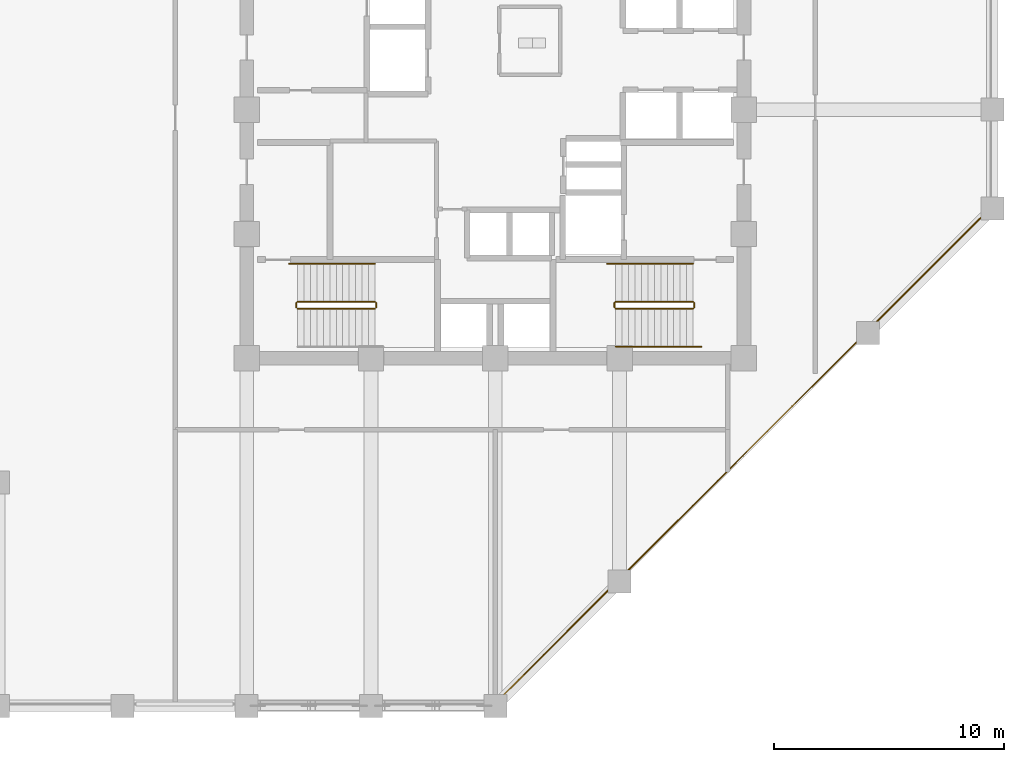
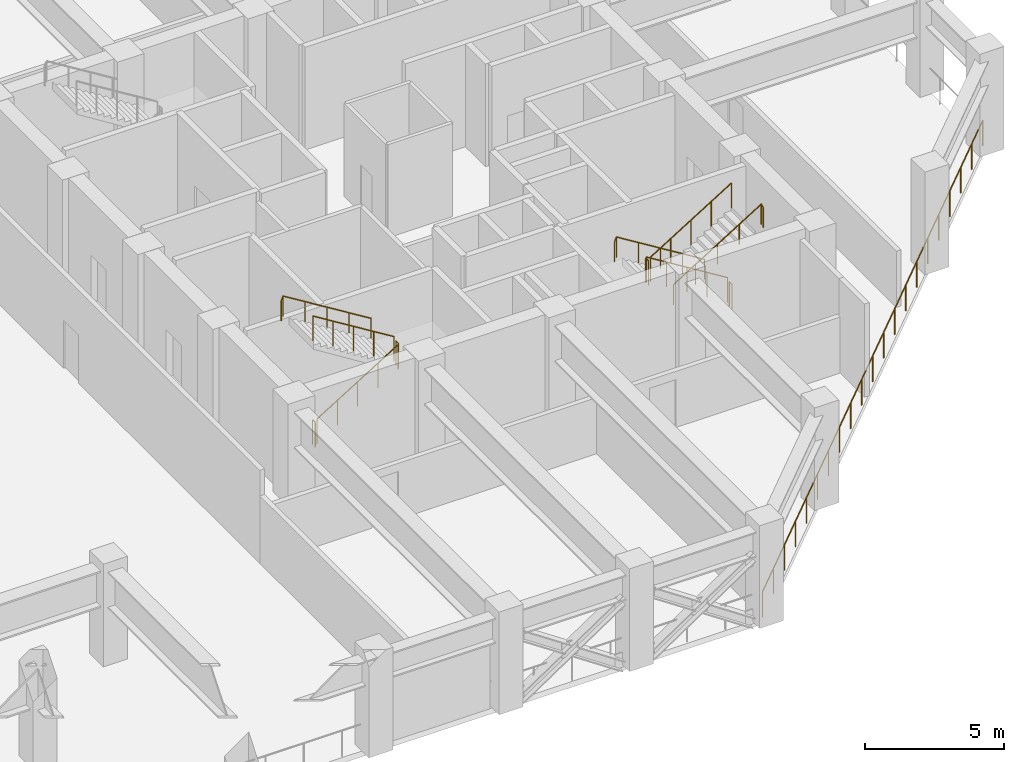
# One storey, part 9 of 12: 12 railings.
"""IFC4 building model written with IfcOpenShell, lengths in metres."""

from ifc_helpers import new_model, si_unit, direction, frame, origin, origin_2d, place, context, subcontext, project, spatial, circle, extrude, material, type_object, element, save


model = new_model("IFC4")

# Units and contexts
model_context = context("Model", 3, precision=1e-05, world=origin(), true_north=direction((0.0, 1.0)))
body_context = subcontext(model_context, "Body", "Model", "MODEL_VIEW")
ifc_project = project(units=[si_unit("LENGTHUNIT", "METRE"), si_unit("AREAUNIT", "SQUARE_METRE"), si_unit("VOLUMEUNIT", "CUBIC_METRE"), si_unit("PLANEANGLEUNIT", "RADIAN"), si_unit("MASSUNIT", "GRAM", prefix="KILO")], contexts=[model_context])

# Site, building, storey
site_placement = place(None, origin())
site = spatial("IfcSite", under=ifc_project, at=site_placement, CompositionType="ELEMENT")
building_placement = place(site_placement, origin())
building = spatial("IfcBuilding", under=site, at=building_placement, Name="Surkhivell Harbour Commons", CompositionType="ELEMENT")
storey_placement = place(building_placement, frame((0.0, 0.0, 166.5)))
storey = spatial("IfcBuildingStorey", under=building, at=storey_placement, Name="L43", CompositionType="ELEMENT", Elevation=166.5)

# Railings
ifc_material_1 = material(Name="Laminated safety glass and stainless steel S355 balustrade", Category="steel")
railing_type_1 = type_object("IfcRailingType", Name="RAL-BAL-1150", PredefinedType="BALUSTRADE", material=ifc_material_1)
railing_1_placement = place(storey_placement, frame((-0.056640625, -25.843505859375, 0.0)))
element("IfcRailing", 1, at=railing_1_placement, inside=storey, type_object=railing_type_1, Name="L43 Perimeter Safety Guard 02", PredefinedType="BALUSTRADE", context=body_context, shape_type="SweptSolid", body=[
    extrude(circle(Radius=0.02392578125, at=origin_2d()), frame((0.0, 0.0, 1.1259765625), z_axis=(0.707106781187, 0.707106781187, 0.0), x_axis=(-0.707106781187, 0.707106781187, 0.0)), (0.0, 0.0, 1.0), 30.547119140625),
    extrude(circle(Radius=0.02099609375, at=origin_2d()), origin(), (0.0, 0.0, 1.0), 1.101806640625),
    extrude(circle(Radius=0.02099609375, at=origin_2d()), frame((1.080078125, 1.080078125, 0.0)), (0.0, 0.0, 1.0), 1.101806640625),
    extrude(circle(Radius=0.02099609375, at=origin_2d()), frame((2.159912109375, 2.159912109375, 0.0)), (0.0, 0.0, 1.0), 1.101806640625),
    extrude(circle(Radius=0.02099609375, at=origin_2d()), frame((3.239990234375, 3.239990234375, 0.0)), (0.0, 0.0, 1.0), 1.101806640625),
    extrude(circle(Radius=0.02099609375, at=origin_2d()), frame((4.320068359375, 4.320068359375, 0.0)), (0.0, 0.0, 1.0), 1.101806640625),
    extrude(circle(Radius=0.02099609375, at=origin_2d()), frame((5.39990234375, 5.39990234375, 0.0)), (0.0, 0.0, 1.0), 1.101806640625),
    extrude(circle(Radius=0.02099609375, at=origin_2d()), frame((6.47998046875, 6.47998046875, 0.0)), (0.0, 0.0, 1.0), 1.101806640625),
    extrude(circle(Radius=0.02099609375, at=origin_2d()), frame((7.56005859375, 7.56005859375, 0.0)), (0.0, 0.0, 1.0), 1.101806640625),
    extrude(circle(Radius=0.02099609375, at=origin_2d()), frame((8.64013671875, 8.64013671875, 0.0)), (0.0, 0.0, 1.0), 1.101806640625),
    extrude(circle(Radius=0.02099609375, at=origin_2d()), frame((9.719970703125, 9.719970703125, 0.0)), (0.0, 0.0, 1.0), 1.101806640625),
    extrude(circle(Radius=0.02099609375, at=origin_2d()), frame((10.800048828125, 10.800048828125, 0.0)), (0.0, 0.0, 1.0), 1.101806640625),
    extrude(circle(Radius=0.02099609375, at=origin_2d()), frame((11.880126953125, 11.880126953125, 0.0)), (0.0, 0.0, 1.0), 1.101806640625),
    extrude(circle(Radius=0.02099609375, at=origin_2d()), frame((12.9599609375, 12.9599609375, 0.0)), (0.0, 0.0, 1.0), 1.101806640625),
    extrude(circle(Radius=0.02099609375, at=origin_2d()), frame((14.0400390625, 14.0400390625, 0.0)), (0.0, 0.0, 1.0), 1.101806640625),
    extrude(circle(Radius=0.02099609375, at=origin_2d()), frame((15.1201171875, 15.1201171875, 0.0)), (0.0, 0.0, 1.0), 1.101806640625),
    extrude(circle(Radius=0.02099609375, at=origin_2d()), frame((16.2001953125, 16.2001953125, 0.0)), (0.0, 0.0, 1.0), 1.101806640625),
    extrude(circle(Radius=0.02099609375, at=origin_2d()), frame((17.280029296875, 17.280029296875, 0.0)), (0.0, 0.0, 1.0), 1.101806640625),
    extrude(circle(Radius=0.02099609375, at=origin_2d()), frame((18.360107421875, 18.360107421875, 0.0)), (0.0, 0.0, 1.0), 1.101806640625),
    extrude(circle(Radius=0.02099609375, at=origin_2d()), frame((19.440185546875, 19.440185546875, 0.0)), (0.0, 0.0, 1.0), 1.101806640625),
    extrude(circle(Radius=0.02099609375, at=origin_2d()), frame((20.52001953125, 20.52001953125, 0.0)), (0.0, 0.0, 1.0), 1.101806640625),
    extrude(circle(Radius=0.02099609375, at=origin_2d()), frame((21.60009765625, 21.60009765625, 0.0)), (0.0, 0.0, 1.0), 1.101806640625),
])
ifc_material_2 = material(Name="Galvanised and painted steel S355 guard rail", Category="steel")
railing_type_2 = type_object("IfcRailingType", Name="RAL-ST-GRD1100", PredefinedType="GUARDRAIL", material=ifc_material_2)
railing_2_placement = place(storey_placement, frame((8.590087890625, -8.340087890625, 0.173095703125)))
element("IfcRailing", 2, at=railing_2_placement, inside=storey, type_object=railing_type_2, Name="L43 ST2 stair guard 1", PredefinedType="GUARDRAIL", context=body_context, shape_type="SweptSolid", body=[
    extrude(circle(Radius=0.02392578125, at=origin_2d()), frame((0.0, 0.0, 1.076171875), z_axis=(-0.850623216509, 0.0, 0.525775754039), x_axis=(0.0, -1.0, 0.0)), (0.0, 0.0, 1.0), 3.9501953125),
    extrude(circle(Radius=0.02099609375, at=origin_2d()), origin(), (0.0, 0.0, 1.0), 1.052001953125),
    extrude(circle(Radius=0.02099609375, at=origin_2d()), frame((-0.840087890625, 0.0, 0.519287109375)), (0.0, 0.0, 1.0), 1.052001953125),
    extrude(circle(Radius=0.02099609375, at=origin_2d()), frame((-1.68017578125, 0.0, 1.03857421875)), (0.0, 0.0, 1.0), 1.052001953125),
    extrude(circle(Radius=0.02099609375, at=origin_2d()), frame((-2.52001953125, 0.0, 1.5576171875)), (0.0, 0.0, 1.0), 1.052001953125),
    extrude(circle(Radius=0.02099609375, at=origin_2d()), frame((-3.360107421875, 0.0, 2.076904296875)), (0.0, 0.0, 1.0), 1.052001953125),
])
railing_3_placement = place(storey_placement, frame((5.179931640625, -8.389892578125, 2.25)))
element("IfcRailing", 3, at=railing_3_placement, inside=storey, type_object=railing_type_2, Name="L43 ST2 stair guard 2", PredefinedType="GUARDRAIL", context=body_context, shape_type="SweptSolid", body=[
    extrude(circle(Radius=0.02392578125, at=origin_2d()), frame((0.0, 0.0, 1.076171875), z_axis=(0.0, -1.0, 0.0), x_axis=(1.0, 0.0, 0.0)), (0.0, 0.0, 1.0), 0.2001953125),
    extrude(circle(Radius=0.02099609375, at=origin_2d()), origin(), (0.0, 0.0, 1.0), 1.052001953125),
    extrude(circle(Radius=0.02099609375, at=origin_2d()), frame((0.0, -0.2001953125, 0.0)), (0.0, 0.0, 1.0), 1.052001953125),
])
railing_4_placement = place(storey_placement, frame((5.22998046875, -8.639892578125, 2.423095703125)))
element("IfcRailing", 4, at=railing_4_placement, inside=storey, type_object=railing_type_2, Name="L43 ST2 stair guard 3", PredefinedType="GUARDRAIL", context=body_context, shape_type="SweptSolid", body=[
    extrude(circle(Radius=0.02392578125, at=origin_2d()), frame((0.0, 0.0, 1.076171875), z_axis=(0.850623216509, 0.0, 0.525775754039), x_axis=(0.0, 1.0, 0.0)), (0.0, 0.0, 1.0), 3.9501953125),
    extrude(circle(Radius=0.02099609375, at=origin_2d()), origin(), (0.0, 0.0, 1.0), 1.052001953125),
    extrude(circle(Radius=0.02099609375, at=origin_2d()), frame((0.840087890625, 0.0, 0.519287109375)), (0.0, 0.0, 1.0), 1.052001953125),
    extrude(circle(Radius=0.02099609375, at=origin_2d()), frame((1.68017578125, 0.0, 1.03857421875)), (0.0, 0.0, 1.0), 1.052001953125),
    extrude(circle(Radius=0.02099609375, at=origin_2d()), frame((2.52001953125, 0.0, 1.5576171875)), (0.0, 0.0, 1.0), 1.052001953125),
    extrude(circle(Radius=0.02099609375, at=origin_2d()), frame((3.360107421875, 0.0, 2.076904296875)), (0.0, 0.0, 1.0), 1.052001953125),
])
railing_5_placement = place(storey_placement, frame((8.639892578125, -8.389892578125, 0.0)))
element("IfcRailing", 5, at=railing_5_placement, inside=storey, type_object=railing_type_2, Name="L43 ST2 stair guard 4", PredefinedType="GUARDRAIL", context=body_context, shape_type="SweptSolid", body=[
    extrude(circle(Radius=0.02392578125, at=origin_2d()), frame((0.0, 0.0, 1.076171875), z_axis=(0.0, -1.0, 0.0), x_axis=(1.0, 0.0, 0.0)), (0.0, 0.0, 1.0), 0.2001953125),
    extrude(circle(Radius=0.02099609375, at=origin_2d()), origin(), (0.0, 0.0, 1.0), 1.052001953125),
    extrude(circle(Radius=0.02099609375, at=origin_2d()), frame((0.0, -0.2001953125, 0.0)), (0.0, 0.0, 1.0), 1.052001953125),
])
railing_6_placement = place(storey_placement, frame((-8.590087890625, -8.639892578125, 0.173095703125)))
element("IfcRailing", 6, at=railing_6_placement, inside=storey, type_object=railing_type_2, Name="L43 ST3 stair guard 1", PredefinedType="GUARDRAIL", context=body_context, shape_type="SweptSolid", body=[
    extrude(circle(Radius=0.02392578125, at=origin_2d()), frame((0.0, 0.0, 1.076171875), z_axis=(0.850623216509, 0.0, 0.525775754039), x_axis=(0.0, 1.0, 0.0)), (0.0, 0.0, 1.0), 3.9501953125),
    extrude(circle(Radius=0.02099609375, at=origin_2d()), origin(), (0.0, 0.0, 1.0), 1.052001953125),
    extrude(circle(Radius=0.02099609375, at=origin_2d()), frame((0.840087890625, 0.0, 0.519287109375)), (0.0, 0.0, 1.0), 1.052001953125),
    extrude(circle(Radius=0.02099609375, at=origin_2d()), frame((1.68017578125, 0.0, 1.03857421875)), (0.0, 0.0, 1.0), 1.052001953125),
    extrude(circle(Radius=0.02099609375, at=origin_2d()), frame((2.52001953125, 0.0, 1.5576171875)), (0.0, 0.0, 1.0), 1.052001953125),
    extrude(circle(Radius=0.02099609375, at=origin_2d()), frame((3.360107421875, 0.0, 2.076904296875)), (0.0, 0.0, 1.0), 1.052001953125),
])
railing_7_placement = place(storey_placement, frame((-5.179931640625, -8.590087890625, 2.25)))
element("IfcRailing", 7, at=railing_7_placement, inside=storey, type_object=railing_type_2, Name="L43 ST3 stair guard 2", PredefinedType="GUARDRAIL", context=body_context, shape_type="SweptSolid", body=[
    extrude(circle(Radius=0.02392578125, at=origin_2d()), frame((0.0, 0.0, 1.076171875), z_axis=(0.0, 1.0, 0.0), x_axis=(-1.0, 0.0, 0.0)), (0.0, 0.0, 1.0), 0.2001953125),
    extrude(circle(Radius=0.02099609375, at=origin_2d()), origin(), (0.0, 0.0, 1.0), 1.052001953125),
    extrude(circle(Radius=0.02099609375, at=origin_2d()), frame((0.0, 0.2001953125, 0.0)), (0.0, 0.0, 1.0), 1.052001953125),
])
railing_8_placement = place(storey_placement, frame((-5.22998046875, -8.340087890625, 2.423095703125)))
element("IfcRailing", 8, at=railing_8_placement, inside=storey, type_object=railing_type_2, Name="L43 ST3 stair guard 3", PredefinedType="GUARDRAIL", context=body_context, shape_type="SweptSolid", body=[
    extrude(circle(Radius=0.02392578125, at=origin_2d()), frame((0.0, 0.0, 1.076171875), z_axis=(-0.850623216509, 0.0, 0.525775754039), x_axis=(0.0, -1.0, 0.0)), (0.0, 0.0, 1.0), 3.9501953125),
    extrude(circle(Radius=0.02099609375, at=origin_2d()), origin(), (0.0, 0.0, 1.0), 1.052001953125),
    extrude(circle(Radius=0.02099609375, at=origin_2d()), frame((-0.840087890625, 0.0, 0.519287109375)), (0.0, 0.0, 1.0), 1.052001953125),
    extrude(circle(Radius=0.02099609375, at=origin_2d()), frame((-1.68017578125, 0.0, 1.03857421875)), (0.0, 0.0, 1.0), 1.052001953125),
    extrude(circle(Radius=0.02099609375, at=origin_2d()), frame((-2.52001953125, 0.0, 1.5576171875)), (0.0, 0.0, 1.0), 1.052001953125),
    extrude(circle(Radius=0.02099609375, at=origin_2d()), frame((-3.360107421875, 0.0, 2.076904296875)), (0.0, 0.0, 1.0), 1.052001953125),
])
railing_9_placement = place(storey_placement, frame((-8.639892578125, -8.590087890625, 0.0)))
element("IfcRailing", 9, at=railing_9_placement, inside=storey, type_object=railing_type_2, Name="L43 ST3 stair guard 4", PredefinedType="GUARDRAIL", context=body_context, shape_type="SweptSolid", body=[
    extrude(circle(Radius=0.02392578125, at=origin_2d()), frame((0.0, 0.0, 1.076171875), z_axis=(0.0, 1.0, 0.0), x_axis=(-1.0, 0.0, 0.0)), (0.0, 0.0, 1.0), 0.2001953125),
    extrude(circle(Radius=0.02099609375, at=origin_2d()), origin(), (0.0, 0.0, 1.0), 1.052001953125),
    extrude(circle(Radius=0.02099609375, at=origin_2d()), frame((0.0, 0.2001953125, 0.0)), (0.0, 0.0, 1.0), 1.052001953125),
])
ifc_material_3 = material(Name="Brushed stainless steel S355 handrail", Category="steel")
railing_type_3 = type_object("IfcRailingType", Name="RAL-ST-HND900", PredefinedType="HANDRAIL", material=ifc_material_3)
railing_10_placement = place(storey_placement, frame((8.590087890625, -6.68994140625, 0.173095703125)))
element("IfcRailing", 10, at=railing_10_placement, inside=storey, type_object=railing_type_3, Name="L43 ST2 stair handrail 1", PredefinedType="HANDRAIL", context=body_context, shape_type="SweptSolid", body=[
    extrude(circle(Radius=0.02392578125, at=origin_2d()), frame((0.0, 0.0, 0.8759765625), z_axis=(-0.850622404505, 0.0, 0.525777067734), x_axis=(0.0, -1.0, 0.0)), (0.0, 0.0, 1.0), 4.279296875),
    extrude(circle(Radius=0.02392578125, at=origin_2d()), frame((-3.64013671875, 0.0, 3.1259765625), z_axis=(-0.418814502111, 0.0, -0.908071810388), x_axis=(0.0, -1.0, 0.0)), (0.0, 0.0, 1.0), 0.190673828125),
    extrude(circle(Radius=0.02099609375, at=origin_2d()), origin(), (0.0, 0.0, 1.0), 0.851806640625),
    extrude(circle(Radius=0.02099609375, at=origin_2d()), frame((-0.91015625, 0.0, 0.5625)), (0.0, 0.0, 1.0), 0.851806640625),
    extrude(circle(Radius=0.02099609375, at=origin_2d()), frame((-1.820068359375, 0.0, 1.125)), (0.0, 0.0, 1.0), 0.851806640625),
    extrude(circle(Radius=0.02099609375, at=origin_2d()), frame((-2.72998046875, 0.0, 1.6875)), (0.0, 0.0, 1.0), 0.851806640625),
    extrude(circle(Radius=0.02099609375, at=origin_2d()), frame((-3.64013671875, 0.0, 2.25)), (0.0, 0.0, 1.0), 0.851806640625),
    extrude(circle(Radius=0.02099609375, at=origin_2d()), frame((-3.719970703125, 0.0, 2.076904296875)), (0.0, 0.0, 1.0), 0.851806640625),
])
railing_11_placement = place(storey_placement, frame((5.22998046875, -10.2900390625, 2.423095703125)))
element("IfcRailing", 11, at=railing_11_placement, inside=storey, type_object=railing_type_3, Name="L43 ST2 stair handrail 2", PredefinedType="HANDRAIL", context=body_context, shape_type="SweptSolid", body=[
    extrude(circle(Radius=0.02392578125, at=origin_2d()), frame((0.0, 0.0, 0.8759765625), z_axis=(0.850622404505, 0.0, 0.525777067734), x_axis=(0.0, 1.0, 0.0)), (0.0, 0.0, 1.0), 4.279296875),
    extrude(circle(Radius=0.02392578125, at=origin_2d()), frame((3.64013671875, 0.0, 3.1259765625), z_axis=(0.418814502111, 0.0, -0.908071810388), x_axis=(0.0, 1.0, 0.0)), (0.0, 0.0, 1.0), 0.190673828125),
    extrude(circle(Radius=0.02099609375, at=origin_2d()), origin(), (0.0, 0.0, 1.0), 0.851806640625),
    extrude(circle(Radius=0.02099609375, at=origin_2d()), frame((0.91015625, 0.0, 0.5625)), (0.0, 0.0, 1.0), 0.851806640625),
    extrude(circle(Radius=0.02099609375, at=origin_2d()), frame((1.820068359375, 0.0, 1.125)), (0.0, 0.0, 1.0), 0.851806640625),
    extrude(circle(Radius=0.02099609375, at=origin_2d()), frame((2.72998046875, 0.0, 1.6875)), (0.0, 0.0, 1.0), 0.851806640625),
    extrude(circle(Radius=0.02099609375, at=origin_2d()), frame((3.64013671875, 0.0, 2.25)), (0.0, 0.0, 1.0), 0.851806640625),
    extrude(circle(Radius=0.02099609375, at=origin_2d()), frame((3.719970703125, 0.0, 2.076904296875)), (0.0, 0.0, 1.0), 0.851806640625),
])
railing_12_placement = place(storey_placement, frame((-5.22998046875, -6.68994140625, 2.423095703125)))
element("IfcRailing", 12, at=railing_12_placement, inside=storey, type_object=railing_type_3, Name="L43 ST3 stair handrail 2", PredefinedType="HANDRAIL", context=body_context, shape_type="SweptSolid", body=[
    extrude(circle(Radius=0.02392578125, at=origin_2d()), frame((0.0, 0.0, 0.8759765625), z_axis=(-0.850622404505, 0.0, 0.525777067734), x_axis=(0.0, -1.0, 0.0)), (0.0, 0.0, 1.0), 4.279296875),
    extrude(circle(Radius=0.02392578125, at=origin_2d()), frame((-3.64013671875, 0.0, 3.1259765625), z_axis=(-0.418814502111, 0.0, -0.908071810388), x_axis=(0.0, -1.0, 0.0)), (0.0, 0.0, 1.0), 0.190673828125),
    extrude(circle(Radius=0.02099609375, at=origin_2d()), origin(), (0.0, 0.0, 1.0), 0.851806640625),
    extrude(circle(Radius=0.02099609375, at=origin_2d()), frame((-0.91015625, 0.0, 0.5625)), (0.0, 0.0, 1.0), 0.851806640625),
    extrude(circle(Radius=0.02099609375, at=origin_2d()), frame((-1.820068359375, 0.0, 1.125)), (0.0, 0.0, 1.0), 0.851806640625),
    extrude(circle(Radius=0.02099609375, at=origin_2d()), frame((-2.72998046875, 0.0, 1.6875)), (0.0, 0.0, 1.0), 0.851806640625),
    extrude(circle(Radius=0.02099609375, at=origin_2d()), frame((-3.64013671875, 0.0, 2.25)), (0.0, 0.0, 1.0), 0.851806640625),
    extrude(circle(Radius=0.02099609375, at=origin_2d()), frame((-3.719970703125, 0.0, 2.076904296875)), (0.0, 0.0, 1.0), 0.851806640625),
])

save(model, "model.ifc")
